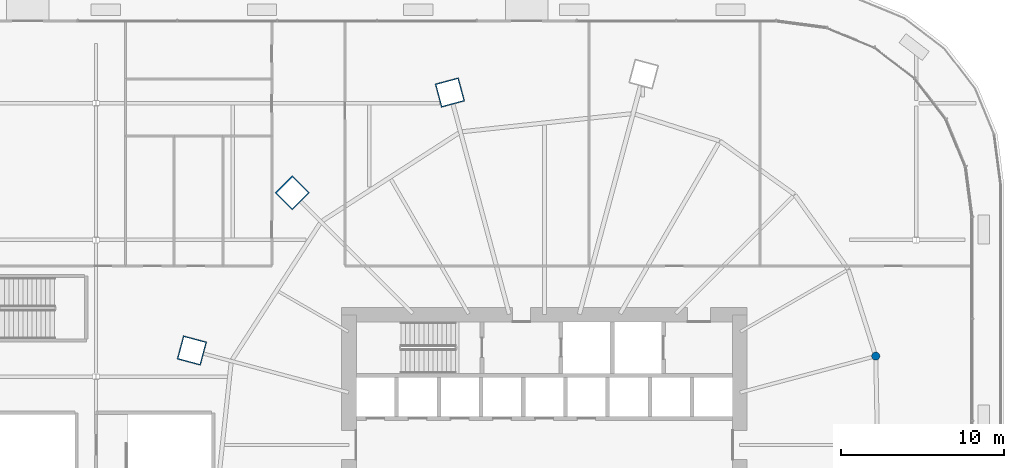
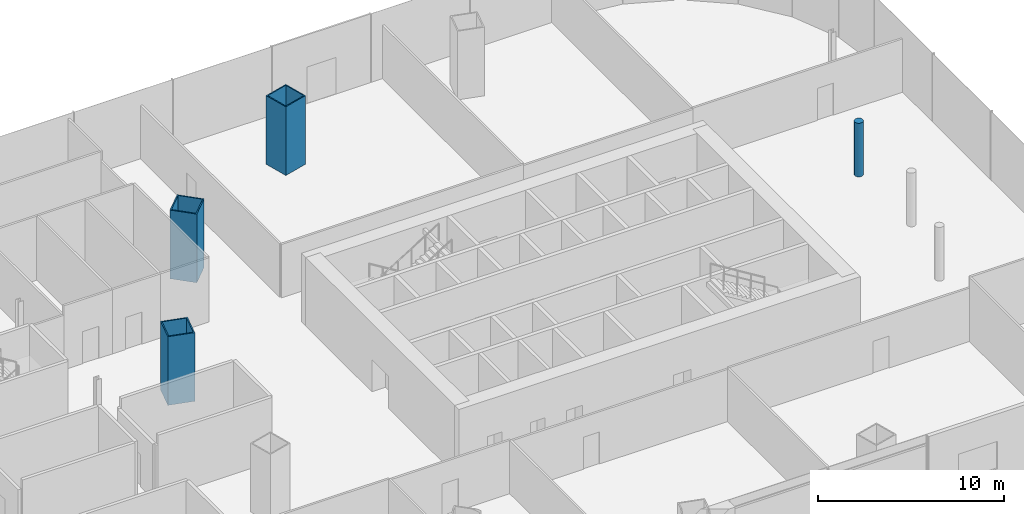
# One storey, part 7 of 49: 4 columns.
"""IFC4 building model written with IfcOpenShell, lengths in metres."""

from ifc_helpers import new_model, si_unit, direction, frame, origin, origin_2d, place, context, subcontext, project, spatial, hollow_rectangle, circle, extrude, material, material_profile, profile_set, type_object, element, save


model = new_model("IFC4")

# Units and contexts
model_context = context("Model", 3, precision=1e-05, world=origin(), true_north=direction((0.0, 1.0)))
body_context = subcontext(model_context, "Body", "Model", "MODEL_VIEW")
ifc_project = project(units=[si_unit("LENGTHUNIT", "METRE"), si_unit("AREAUNIT", "SQUARE_METRE"), si_unit("VOLUMEUNIT", "CUBIC_METRE"), si_unit("PLANEANGLEUNIT", "RADIAN"), si_unit("MASSUNIT", "GRAM", prefix="KILO")], contexts=[model_context])

# Site, building, storey
site_placement = place(None, origin())
site = spatial("IfcSite", under=ifc_project, at=site_placement, CompositionType="ELEMENT")
building_placement = place(site_placement, origin())
building = spatial("IfcBuilding", under=site, at=building_placement, Name="Rimbun Link Towers", CompositionType="ELEMENT")
storey_placement = place(building_placement, frame((0.0, 0.0, 25.5)))
storey = spatial("IfcBuildingStorey", under=building, at=storey_placement, Name="L05", CompositionType="ELEMENT", Elevation=25.5)

# Columns
ifc_material_1 = material(Name="Steel S460N", Category="steel")
ifc_material_profile_1 = material_profile(ifc_material_1, hollow_rectangle(XDim=1.5, YDim=1.5, WallThickness=0.070068359375, at=origin_2d()), Name="BOX 1500x1500x70")
ifc_profile_set_1 = profile_set([ifc_material_profile_1], Name="Steel S460N")
column_type_1 = type_object("IfcColumnType", Name="BOX 1500x1500x70", PredefinedType="COLUMN", material=ifc_profile_set_1)
for number, where, z_axis, x_axis, name in (
    (1, (25.94677734375, 21.658203125, 0.0), (0.0, 0.0, 1.0), (-0.258819045103, 0.965925826289, 0.0), "Mega column T2 L05 04"),
    (2, (16.261474609375, 15.488525390625, 0.0), (0.0, 0.0, 1.0), (-0.707106781187, 0.707106781187, 0.0), "Mega column T2 L05 06"),
    (3, (10.091796875, 5.80322265625, 0.0), (0.0, 0.0, 1.0), (-0.965925826289, 0.258819045103, 0.0), "Mega column T2 L05 08"),
):
    element("IfcColumn", number, at=place(storey_placement, frame(where, z_axis=z_axis, x_axis=x_axis)), inside=storey, type_object=column_type_1, Name=name, PredefinedType="COLUMN", context=body_context, shape_type="SweptSolid", body=[
        extrude(hollow_rectangle(XDim=1.5, YDim=1.5, WallThickness=0.070068359375, at=origin_2d()), origin(), (0.0, 0.0, 1.0), 4.5),
    ])
ifc_material_2 = material(Name="Concrete C80/95", Category="concrete")
ifc_material_profile_2 = material_profile(ifc_material_2, circle(Radius=0.25, at=origin_2d()), Name="RC D500")
ifc_profile_set_2 = profile_set([ifc_material_profile_2], Name="Concrete C80/95")
column_type_2 = type_object("IfcColumnType", Name="RC D500", PredefinedType="COLUMN", material=ifc_profile_set_2)
column_placement = place(storey_placement, frame((52.118408203125, 5.457763671875, 0.0), z_axis=(0.0, 0.0, 1.0), x_axis=(1.0, 0.0, 0.0)))
element("IfcColumn", 4, at=column_placement, inside=storey, type_object=column_type_2, Name="Recess post T2 L05 22", PredefinedType="COLUMN", context=body_context, shape_type="SweptSolid", body=[
    extrude(circle(Radius=0.25, at=origin_2d()), origin(), (0.0, 0.0, 1.0), 3.5166015625),
])

save(model, "model.ifc")
